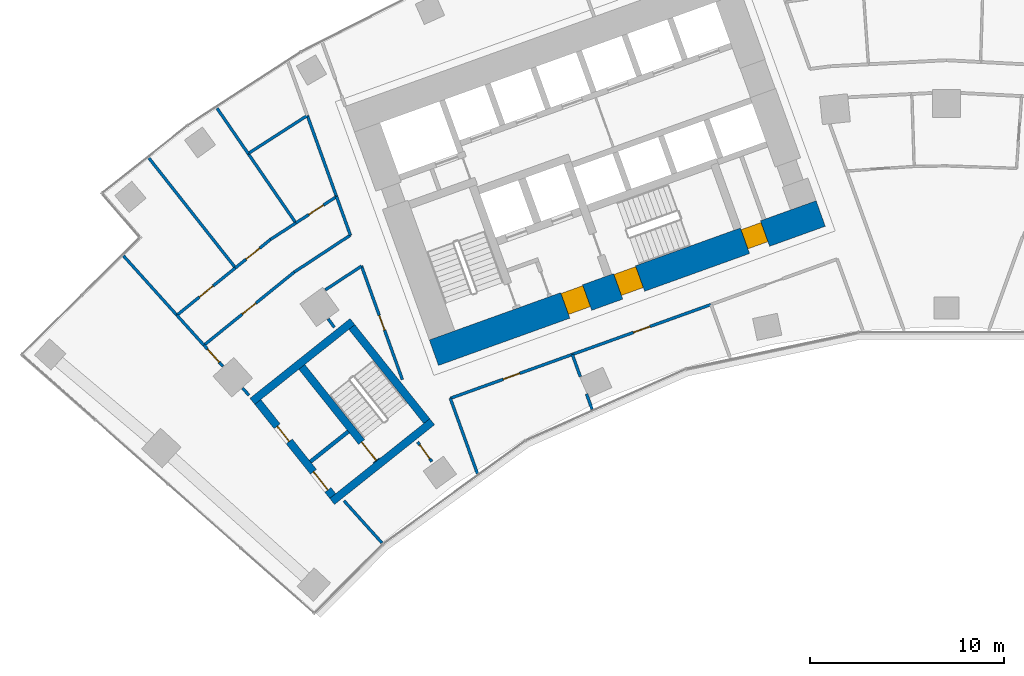
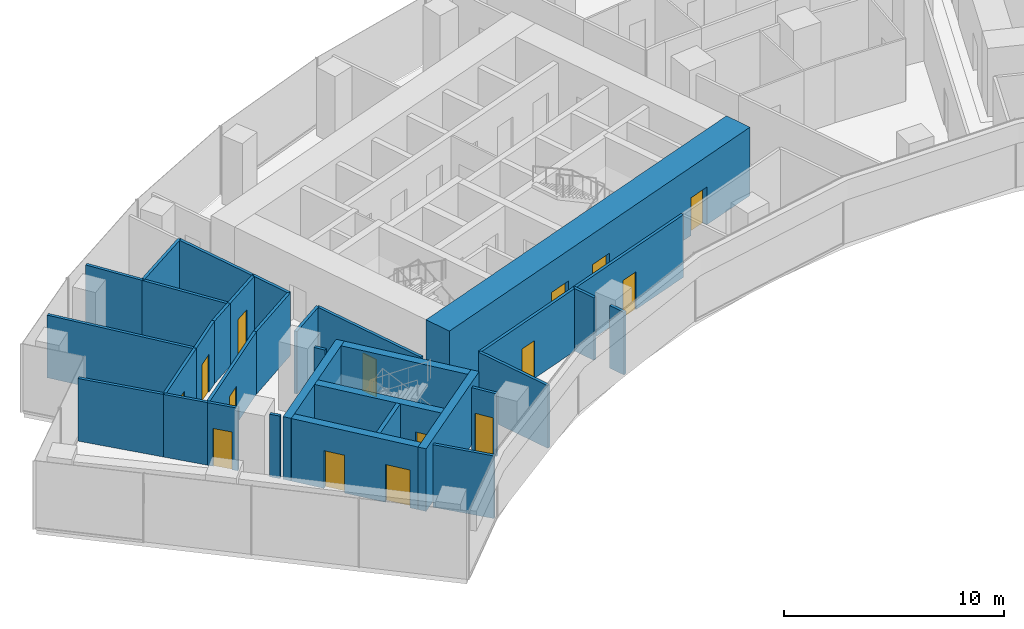
# One storey, part 13 of 21: 33 walls, 15 doors, 15 openings.
"""IFC4 building model written with IfcOpenShell, lengths in metres."""

from ifc_helpers import new_model, si_unit, direction, frame, frame_2d, origin, place, context, subcontext, project, spatial, rectangle, extrude, material, layer, layer_set, type_object, element, fill, save


model = new_model("IFC4")

# Units and contexts
model_context = context("Model", 3, precision=1e-05, world=origin(), true_north=direction((0.0, 1.0)))
body_context = subcontext(model_context, "Body", "Model", "MODEL_VIEW")
ifc_project = project(units=[si_unit("LENGTHUNIT", "METRE"), si_unit("AREAUNIT", "SQUARE_METRE"), si_unit("VOLUMEUNIT", "CUBIC_METRE"), si_unit("PLANEANGLEUNIT", "RADIAN"), si_unit("MASSUNIT", "GRAM", prefix="KILO")], contexts=[model_context])

# Site, building, storey
site_placement = place(None, origin())
site = spatial("IfcSite", under=ifc_project, at=site_placement, CompositionType="ELEMENT")
building_placement = place(site_placement, origin())
building = spatial("IfcBuilding", under=site, at=building_placement, Name="Stone Belt Terrace Tower", CompositionType="ELEMENT")
storey_placement = place(building_placement, frame((0.0, 0.0, 117.39990234375)))
storey = spatial("IfcBuildingStorey", under=building, at=storey_placement, Name="L28", CompositionType="ELEMENT", Elevation=117.39990234375)

# Wall, openings, doors
ifc_material_1 = material(Name="Concrete B80", Category="concrete")
ifc_layer_1 = layer(ifc_material_1, 1.39990234375)
ifc_layer_set_1 = layer_set([ifc_layer_1], Name="Core wall 1400 B80")
wall_type_1 = type_object("IfcWallType", Name="Core wall 1400 B80", PredefinedType="SHEAR", material=ifc_layer_set_1)
wall_1_placement = place(storey_placement, frame((-26.430908203125, 42.139404296875, 0.0), z_axis=(0.0, 0.0, 1.0), x_axis=(0.940923374003, 0.33861955681, 0.0)))
wall_1 = element("IfcWall", 1, at=wall_1_placement, inside=storey, type_object=wall_type_1, Name="Core A wall concave L28", PredefinedType="SHEAR", context=body_context, shape_type="SweptSolid", body=[
    extrude(rectangle(XDim=21.199951171875, YDim=1.39990234375, at=frame_2d((10.60009765625, 0.0))), origin(), (0.0, 0.0, 1.0), 3.800048828125),
])
opening_1_placement = place(wall_1_placement, frame((7.199951171875, 0.0, 0.0)))
opening_1 = element("IfcOpeningElement", 2, at=opening_1_placement, cuts=wall_1, Name="Opening L28-C07", PredefinedType="OPENING", context=body_context, shape_type="SweptSolid", body=[
    extrude(rectangle(XDim=1.199951171875, YDim=2.10009765625, at=frame_2d((0.60009765625, 1.050048828125))), frame((0.0, 0.7099609375, 0.0), z_axis=(0.0, -1.0, 0.0), x_axis=(1.0, 0.0, 0.0)), (0.0, 0.0, 1.0), 1.419921875),
])
opening_2_placement = place(wall_1_placement, frame((10.099853515625, 0.0, 0.0)))
opening_2 = element("IfcOpeningElement", 3, at=opening_2_placement, cuts=wall_1, Name="Opening L28-C09", PredefinedType="OPENING", context=body_context, shape_type="SweptSolid", body=[
    extrude(rectangle(XDim=1.199951171875, YDim=2.10009765625, at=frame_2d((0.60009765625, 1.050048828125))), frame((0.0, 0.7099609375, 0.0), z_axis=(0.0, -1.0, 0.0), x_axis=(1.0, 0.0, 0.0)), (0.0, 0.0, 1.0), 1.419921875),
])
opening_3_placement = place(wall_1_placement, frame((17.050048828125, 0.0, 0.0)))
opening_3 = element("IfcOpeningElement", 4, at=opening_3_placement, cuts=wall_1, Name="Opening L28-C11", PredefinedType="OPENING", context=body_context, shape_type="SweptSolid", body=[
    extrude(rectangle(XDim=1.10009765625, YDim=2.10009765625, at=frame_2d((0.550048828125, 1.050048828125))), frame((0.0, 0.7099609375, 0.0), z_axis=(0.0, -1.0, 0.0), x_axis=(1.0, 0.0, 0.0)), (0.0, 0.0, 1.0), 1.419921875),
])
ifc_material_2 = material(Name="Timber door leaf", Category="wood")
door_type_1 = type_object("IfcDoorType", Name="Core room door 1100", OperationType="SINGLE_SWING_LEFT", PredefinedType="DOOR", material=ifc_material_2)
door_1_placement = place(opening_3_placement, origin())
door_1 = element("IfcDoor", 5, at=door_1_placement, inside=storey, type_object=door_type_1, Name="Door to Communications riser room core A", OperationType="SINGLE_SWING_LEFT", OverallHeight=2.10009765625, OverallWidth=1.10009765625, PredefinedType="DOOR", context=body_context, shape_type="SweptSolid", body=[
    extrude(rectangle(XDim=1.10009765625, YDim=2.10009765625, at=frame_2d((0.550048828125, 1.050048828125))), frame((0.0, 0.60498046875, 0.0), z_axis=(0.0, -1.0, 0.0), x_axis=(1.0, 0.0, 0.0)), (0.0, 0.0, 1.0), 1.050048828125),
])
fill(opening_3, door_1)
ifc_material_3 = material(Name="Steel door leaf", Category="steel")
door_type_2 = type_object("IfcDoorType", Name="Fire-fighting lobby door 1200", OperationType="SINGLE_SWING_LEFT", PredefinedType="DOOR", material=ifc_material_3)
door_2_placement = place(opening_1_placement, origin())
door_2 = element("IfcDoor", 6, at=door_2_placement, inside=storey, type_object=door_type_2, Name="Fire-fighting lobby door core A", OperationType="SINGLE_SWING_LEFT", OverallHeight=2.10009765625, OverallWidth=1.199951171875, PredefinedType="DOOR", context=body_context, shape_type="SweptSolid", body=[
    extrude(rectangle(XDim=1.199951171875, YDim=2.10009765625, at=frame_2d((0.60009765625, 1.050048828125))), frame((0.0, 0.655029296875, 0.0), z_axis=(0.0, -1.0, 0.0), x_axis=(1.0, 0.0, 0.0)), (0.0, 0.0, 1.0), 1.14990234375),
])
fill(opening_1, door_2)
door_type_3 = type_object("IfcDoorType", Name="Stair door 1200", OperationType="SINGLE_SWING_LEFT", PredefinedType="DOOR", material=ifc_material_3)
door_3_placement = place(opening_2_placement, origin())
door_3 = element("IfcDoor", 7, at=door_3_placement, inside=storey, type_object=door_type_3, Name="Stair 2 exit door core A", OperationType="SINGLE_SWING_RIGHT", OverallHeight=2.10009765625, OverallWidth=1.199951171875, PredefinedType="DOOR", context=body_context, shape_type="SweptSolid", body=[
    extrude(rectangle(XDim=1.199951171875, YDim=2.10009765625, at=frame_2d((0.60009765625, 1.050048828125))), frame((0.0, 0.655029296875, 0.0), z_axis=(0.0, -1.0, 0.0), x_axis=(1.0, 0.0, 0.0)), (0.0, 0.0, 1.0), 1.14990234375),
])
fill(opening_2, door_3)

# Wall
ifc_material_4 = material(Name="Gypsum board partition")
ifc_layer_2 = layer(ifc_material_4, 0.14990234375)
ifc_layer_set_2 = layer_set([ifc_layer_2], Name="PARTITION 150 EI 60")
wall_type_2 = type_object("IfcWallType", Name="PARTITION 150 EI 60", PredefinedType="PARTITIONING", material=ifc_layer_set_2)
wall_2_placement = place(storey_placement, frame((-25.5859375, 39.79296875, 0.0), z_axis=(0.0, 0.0, 1.0), x_axis=(0.338545933013, -0.940949866486, 0.0)))
element("IfcWall", 8, at=wall_2_placement, inside=storey, type_object=wall_type_2, Name="L28/wall/i001", PredefinedType="PARTITIONING", context=body_context, shape_type="SweptSolid", body=[
    extrude(rectangle(XDim=4.135009765625, YDim=0.14990234375, at=frame_2d((2.0673828125, 0.0))), origin(), (0.0, 0.0, 1.0), 3.47998046875),
])

# Wall, opening, door
wall_3_placement = place(storey_placement, frame((-28.05810546875, 40.75390625, 0.0), z_axis=(0.0, 0.0, 1.0), x_axis=(-0.338523697563, 0.94095786632, 0.0)))
wall_3 = element("IfcWall", 9, at=wall_3_placement, inside=storey, type_object=wall_type_2, Name="L28/wall/i003", PredefinedType="PARTITIONING", context=body_context, shape_type="SweptSolid", body=[
    extrude(rectangle(XDim=6.226806640625, YDim=0.14990234375, at=frame_2d((3.11328125, 0.0))), origin(), (0.0, 0.0, 1.0), 3.47998046875),
])
opening_4_placement = place(wall_3_placement, frame((2.71337890625, 0.0, 0.0)))
opening_4 = element("IfcOpeningElement", 10, at=opening_4_placement, cuts=wall_3, Name="Opening D-B4-12", PredefinedType="OPENING", context=body_context, shape_type="SweptSolid", body=[
    extrude(rectangle(XDim=0.800048828125, YDim=2.10009765625, at=frame_2d((0.39990234375, 1.050048828125))), frame((0.0, 0.0849609375, 0.0), z_axis=(0.0, -1.0, 0.0), x_axis=(1.0, 0.0, 0.0)), (0.0, 0.0, 1.0), 0.169921875),
])
door_type_4 = type_object("IfcDoorType", Name="STORE DOOR 800 X 2100", OperationType="NOTDEFINED", PredefinedType="DOOR", material=ifc_material_2)
door_4_placement = place(opening_4_placement, origin())
door_4 = element("IfcDoor", 11, at=door_4_placement, inside=storey, type_object=door_type_4, Name="L28/door/i12", OperationType="SINGLE_SWING_RIGHT", OverallHeight=2.10009765625, OverallWidth=0.800048828125, PredefinedType="DOOR", context=body_context, shape_type="SweptSolid", body=[
    extrude(rectangle(XDim=0.800048828125, YDim=2.10009765625, at=frame_2d((0.39990234375, 1.050048828125))), frame((0.0, 0.02490234375, 0.0), z_axis=(0.0, -1.0, 0.0), x_axis=(1.0, 0.0, 0.0)), (0.0, 0.0, 1.0), 0.050048828125),
])
fill(opening_4, door_4)

wall_4_placement = place(storey_placement, frame((-26.534912109375, 36.52294921875, 0.0), z_axis=(0.0, 0.0, 1.0), x_axis=(-0.58822969918, 0.80869389821, 0.0)))
wall_4 = element("IfcWall", 12, at=wall_4_placement, inside=storey, type_object=wall_type_2, Name="L28/wall/i004", PredefinedType="PARTITIONING", context=body_context, shape_type="SweptSolid", body=[
    extrude(rectangle(XDim=1.25146484375, YDim=0.14990234375, at=frame_2d((0.625732421875, 0.0))), origin(), (0.0, 0.0, 1.0), 3.47998046875),
])
opening_5_placement = place(wall_4_placement, frame((0.17578125, 0.0, 0.0)))
opening_5 = element("IfcOpeningElement", 13, at=opening_5_placement, cuts=wall_4, Name="Opening D-B4-13", PredefinedType="OPENING", context=body_context, shape_type="SweptSolid", body=[
    extrude(rectangle(XDim=0.89990234375, YDim=2.10009765625, at=frame_2d((0.449951171875, 1.050048828125))), frame((0.0, 0.0849609375, 0.0), z_axis=(0.0, -1.0, 0.0), x_axis=(1.0, 0.0, 0.0)), (0.0, 0.0, 1.0), 0.169921875),
])
door_type_5 = type_object("IfcDoorType", Name="OFFICE DOOR 900 X 2100", OperationType="NOTDEFINED", PredefinedType="DOOR", material=ifc_material_2)
door_5_placement = place(opening_5_placement, origin())
door_5 = element("IfcDoor", 14, at=door_5_placement, inside=storey, type_object=door_type_5, Name="L28/door/i13", OperationType="SINGLE_SWING_RIGHT", OverallHeight=2.10009765625, OverallWidth=0.89990234375, PredefinedType="DOOR", context=body_context, shape_type="SweptSolid", body=[
    extrude(rectangle(XDim=0.89990234375, YDim=2.10009765625, at=frame_2d((0.449951171875, 1.050048828125))), frame((0.0, 0.02490234375, 0.0), z_axis=(0.0, -1.0, 0.0), x_axis=(1.0, 0.0, 0.0)), (0.0, 0.0, 1.0), 0.050048828125),
])
fill(opening_5, door_5)

# Walls
wall_5_placement = place(storey_placement, frame((-30.737060546875, 48.197021484375, 0.0), z_axis=(0.0, 0.0, 1.0), x_axis=(-0.338300458041, 0.941038150177, 0.0)))
element("IfcWall", 15, at=wall_5_placement, inside=storey, type_object=wall_type_2, Name="L28/wall/i005", PredefinedType="PARTITIONING", context=body_context, shape_type="SweptSolid", body=[
    extrude(rectangle(XDim=2.125244140625, YDim=0.14990234375, at=frame_2d((1.0625, 0.0))), origin(), (0.0, 0.0, 1.0), 3.47998046875),
])
wall_6_placement = place(storey_placement, frame((-31.451904296875, 50.18505859375, 0.0), z_axis=(0.0, 0.0, 1.0), x_axis=(-0.338639924683, 0.940916043763, 0.0)))
element("IfcWall", 16, at=wall_6_placement, inside=storey, type_object=wall_type_2, Name="L28/wall/i006", PredefinedType="PARTITIONING", context=body_context, shape_type="SweptSolid", body=[
    extrude(rectangle(XDim=4.4560546875, YDim=0.14990234375, at=frame_2d((2.22802734375, 0.0))), origin(), (0.0, 0.0, 1.0), 3.47998046875),
])

# Wall, opening, door
wall_7_placement = place(storey_placement, frame((-19.287109375, 42.052978515625, 0.0), z_axis=(0.0, 0.0, 1.0), x_axis=(-0.940935304033, -0.33858640496, 0.0)))
wall_7 = element("IfcWall", 17, at=wall_7_placement, inside=storey, type_object=wall_type_2, Name="L28/wall/i014", PredefinedType="PARTITIONING", context=body_context, shape_type="SweptSolid", body=[
    extrude(rectangle(XDim=6.692138671875, YDim=0.14990234375, at=frame_2d((3.34619140625, 0.0))), origin(), (0.0, 0.0, 1.0), 3.47998046875),
])
opening_6_placement = place(wall_7_placement, frame((2.896240234375, 0.0, 0.0)))
opening_6 = element("IfcOpeningElement", 18, at=opening_6_placement, cuts=wall_7, Name="Opening D-B4-01", PredefinedType="OPENING", context=body_context, shape_type="SweptSolid", body=[
    extrude(rectangle(XDim=0.89990234375, YDim=2.10009765625, at=frame_2d((0.449951171875, 1.050048828125))), frame((0.0, 0.0849609375, 0.0), z_axis=(0.0, -1.0, 0.0), x_axis=(1.0, 0.0, 0.0)), (0.0, 0.0, 1.0), 0.169921875),
])
door_6_placement = place(opening_6_placement, origin())
door_6 = element("IfcDoor", 19, at=door_6_placement, inside=storey, type_object=door_type_5, Name="L28/door/i01", OperationType="SINGLE_SWING_RIGHT", OverallHeight=2.10009765625, OverallWidth=0.89990234375, PredefinedType="DOOR", context=body_context, shape_type="SweptSolid", body=[
    extrude(rectangle(XDim=0.89990234375, YDim=2.10009765625, at=frame_2d((0.449951171875, 1.050048828125))), frame((0.0, 0.02490234375, 0.0), z_axis=(0.0, -1.0, 0.0), x_axis=(1.0, 0.0, 0.0)), (0.0, 0.0, 1.0), 0.050048828125),
])
fill(opening_6, door_6)

wall_8_placement = place(storey_placement, frame((-12.135009765625, 44.626953125, 0.0), z_axis=(0.0, 0.0, 1.0), x_axis=(-0.940936863003, -0.338582072534, 0.0)))
wall_8 = element("IfcWall", 20, at=wall_8_placement, inside=storey, type_object=wall_type_2, Name="L28/wall/i015", PredefinedType="PARTITIONING", context=body_context, shape_type="SweptSolid", body=[
    extrude(rectangle(XDim=7.61376953125, YDim=0.14990234375, at=frame_2d((3.806884765625, 0.0))), origin(), (0.0, 0.0, 1.0), 3.47998046875),
])
opening_7_placement = place(wall_8_placement, frame((3.35693359375, 0.0, 0.0)))
opening_7 = element("IfcOpeningElement", 21, at=opening_7_placement, cuts=wall_8, Name="Opening D-B4-02", PredefinedType="OPENING", context=body_context, shape_type="SweptSolid", body=[
    extrude(rectangle(XDim=0.89990234375, YDim=2.10009765625, at=frame_2d((0.449951171875, 1.050048828125))), frame((0.0, 0.0849609375, 0.0), z_axis=(0.0, -1.0, 0.0), x_axis=(1.0, 0.0, 0.0)), (0.0, 0.0, 1.0), 0.169921875),
])
door_7_placement = place(opening_7_placement, origin())
door_7 = element("IfcDoor", 22, at=door_7_placement, inside=storey, type_object=door_type_5, Name="L28/door/i02", OperationType="SINGLE_SWING_RIGHT", OverallHeight=2.10009765625, OverallWidth=0.89990234375, PredefinedType="DOOR", context=body_context, shape_type="SweptSolid", body=[
    extrude(rectangle(XDim=0.89990234375, YDim=2.10009765625, at=frame_2d((0.449951171875, 1.050048828125))), frame((0.0, 0.02490234375, 0.0), z_axis=(0.0, -1.0, 0.0), x_axis=(1.0, 0.0, 0.0)), (0.0, 0.0, 1.0), 0.050048828125),
])
fill(opening_7, door_7)

# Walls
wall_9_placement = place(storey_placement, frame((-19.29296875, 42.051025390625, 0.0), z_axis=(0.0, 0.0, 1.0), x_axis=(0.338726578261, -0.940884852242, 0.0)))
element("IfcWall", 23, at=wall_9_placement, inside=storey, type_object=wall_type_2, Name="L28/wall/i017", PredefinedType="PARTITIONING", context=body_context, shape_type="SweptSolid", body=[
    extrude(rectangle(XDim=1.2158203125, YDim=0.14990234375, at=frame_2d((0.60791015625, 0.0))), origin(), (0.0, 0.0, 1.0), 3.47998046875),
])
wall_10_placement = place(storey_placement, frame((-18.55908203125, 40.0126953125, 0.0), z_axis=(0.0, 0.0, 1.0), x_axis=(0.338739990078, -0.940880023766, 0.0)))
element("IfcWall", 24, at=wall_10_placement, inside=storey, type_object=wall_type_2, Name="L28/wall/i018", PredefinedType="PARTITIONING", context=body_context, shape_type="SweptSolid", body=[
    extrude(rectangle(XDim=0.842529296875, YDim=0.14990234375, at=frame_2d((0.42138671875, 0.0))), origin(), (0.0, 0.0, 1.0), 3.47998046875),
])

# Wall, opening, door
wall_11_placement = place(storey_placement, frame((-37.3076171875, 41.433837890625, 0.0), z_axis=(0.0, 0.0, 1.0), x_axis=(-0.669238977833, 0.743047233054, 0.0)))
wall_11 = element("IfcWall", 25, at=wall_11_placement, inside=storey, type_object=wall_type_2, Name="L28/wall/i037", PredefinedType="PARTITIONING", context=body_context, shape_type="SweptSolid", body=[
    extrude(rectangle(XDim=1.475341796875, YDim=0.14990234375, at=frame_2d((0.73779296875, 0.0))), origin(), (0.0, 0.0, 1.0), 3.47998046875),
])
opening_8_placement = place(wall_11_placement, frame((0.28759765625, 0.0, 0.0)))
opening_8 = element("IfcOpeningElement", 26, at=opening_8_placement, cuts=wall_11, Name="Opening D-B4-11", PredefinedType="OPENING", context=body_context, shape_type="SweptSolid", body=[
    extrude(rectangle(XDim=0.89990234375, YDim=2.10009765625, at=frame_2d((0.449951171875, 1.050048828125))), frame((0.0, 0.0849609375, 0.0), z_axis=(0.0, -1.0, 0.0), x_axis=(1.0, 0.0, 0.0)), (0.0, 0.0, 1.0), 0.169921875),
])
ifc_material_5 = material(Name="Timber fire door leaf", Category="wood")
door_type_6 = type_object("IfcDoorType", Name="TENANCY ENTRANCE DOOR 900 X 2100", OperationType="NOTDEFINED", PredefinedType="DOOR", material=ifc_material_5)
door_8_placement = place(opening_8_placement, origin())
door_8 = element("IfcDoor", 27, at=door_8_placement, inside=storey, type_object=door_type_6, Name="L28/door/i11", OperationType="SINGLE_SWING_RIGHT", OverallHeight=2.10009765625, OverallWidth=0.89990234375, PredefinedType="DOOR", context=body_context, shape_type="SweptSolid", body=[
    extrude(rectangle(XDim=0.89990234375, YDim=2.10009765625, at=frame_2d((0.449951171875, 1.050048828125))), frame((0.0, 0.02490234375, 0.0), z_axis=(0.0, -1.0, 0.0), x_axis=(1.0, 0.0, 0.0)), (0.0, 0.0, 1.0), 0.050048828125),
])
fill(opening_8, door_8)

# Walls
wall_12_placement = place(storey_placement, frame((-36.297119140625, 40.311767578125, 0.0), z_axis=(0.0, 0.0, 1.0), x_axis=(0.669100229536, -0.743172175768, 0.0)))
element("IfcWall", 28, at=wall_12_placement, inside=storey, type_object=wall_type_2, Name="L28/wall/i038", PredefinedType="PARTITIONING", context=body_context, shape_type="SweptSolid", body=[
    extrude(rectangle(XDim=0.497802734375, YDim=0.14990234375, at=frame_2d((0.2490234375, 0.0))), origin(), (0.0, 0.0, 1.0), 3.47998046875),
])
wall_13_placement = place(storey_placement, frame((-31.071044921875, 34.507080078125, 0.0), z_axis=(0.0, 0.0, 1.0), x_axis=(0.669245075227, -0.74304174128, 0.0)))
element("IfcWall", 29, at=wall_13_placement, inside=storey, type_object=wall_type_2, Name="L28/wall/i039", PredefinedType="PARTITIONING", context=body_context, shape_type="SweptSolid", body=[
    extrude(rectangle(XDim=2.9345703125, YDim=0.14990234375, at=frame_2d((1.46728515625, 0.0))), origin(), (0.0, 0.0, 1.0), 3.47998046875),
])
wall_14_placement = place(storey_placement, frame((-39.68896484375, 44.077880859375, 0.0), z_axis=(0.0, 0.0, 1.0), x_axis=(0.66913854866, -0.743137674121, 0.0)))
element("IfcWall", 30, at=wall_14_placement, inside=storey, type_object=wall_type_2, Name="L28/wall/i040", PredefinedType="PARTITIONING", context=body_context, shape_type="SweptSolid", body=[
    extrude(rectangle(XDim=2.094970703125, YDim=0.14990234375, at=frame_2d((1.04736328125, 0.0))), origin(), (0.0, 0.0, 1.0), 3.47998046875),
])
wall_15_placement = place(storey_placement, frame((-42.43896484375, 47.13232421875, 0.0), z_axis=(0.0, 0.0, 1.0), x_axis=(0.669118518317, -0.743155709421, 0.0)))
element("IfcWall", 31, at=wall_15_placement, inside=storey, type_object=wall_type_2, Name="L28/wall/i041", PredefinedType="PARTITIONING", context=body_context, shape_type="SweptSolid", body=[
    extrude(rectangle(XDim=4.121826171875, YDim=0.14990234375, at=frame_2d((2.06103515625, 0.0))), origin(), (0.0, 0.0, 1.0), 3.47998046875),
])
wall_16_placement = place(storey_placement, frame((-30.1650390625, 46.60595703125, 0.0), z_axis=(0.0, 0.0, 1.0), x_axis=(-0.835442130402, -0.549578426386, 0.0)))
element("IfcWall", 32, at=wall_16_placement, inside=storey, type_object=wall_type_2, Name="L28/wall/i042", PredefinedType="PARTITIONING", context=body_context, shape_type="SweptSolid", body=[
    extrude(rectangle(XDim=2.237548828125, YDim=0.14990234375, at=frame_2d((1.11865234375, 0.0))), origin(), (0.0, 0.0, 1.0), 3.47998046875),
])
wall_17_placement = place(storey_placement, frame((-31.88427734375, 43.88525390625, 0.0), z_axis=(0.0, 0.0, 1.0), x_axis=(0.588064762831, -0.808813844291, 0.0)))
element("IfcWall", 33, at=wall_17_placement, inside=storey, type_object=wall_type_2, Name="L28/wall/i043", PredefinedType="PARTITIONING", context=body_context, shape_type="SweptSolid", body=[
    extrude(rectangle(XDim=0.54296875, YDim=0.14990234375, at=frame_2d((0.271484375, 0.0))), origin(), (0.0, 0.0, 1.0), 3.47998046875),
])

# Wall, opening, door
wall_18_placement = place(storey_placement, frame((-38.2900390625, 42.527099609375, 0.0), z_axis=(0.0, 0.0, 1.0), x_axis=(0.77714422733, 0.629322532513, 0.0)))
wall_18 = element("IfcWall", 34, at=wall_18_placement, inside=storey, type_object=wall_type_2, Name="L28/wall/i044", PredefinedType="PARTITIONING", context=body_context, shape_type="SweptSolid", body=[
    extrude(rectangle(XDim=5.98876953125, YDim=0.14990234375, at=frame_2d((2.994384765625, 0.0))), origin(), (0.0, 0.0, 1.0), 3.47998046875),
])
opening_9_placement = place(wall_18_placement, frame((2.54443359375, 0.0, 0.0)))
opening_9 = element("IfcOpeningElement", 35, at=opening_9_placement, cuts=wall_18, Name="Opening D-B4-14", PredefinedType="OPENING", context=body_context, shape_type="SweptSolid", body=[
    extrude(rectangle(XDim=0.89990234375, YDim=2.10009765625, at=frame_2d((0.449951171875, 1.050048828125))), frame((0.0, 0.0849609375, 0.0), z_axis=(0.0, -1.0, 0.0), x_axis=(1.0, 0.0, 0.0)), (0.0, 0.0, 1.0), 0.169921875),
])
door_9_placement = place(opening_9_placement, origin())
door_9 = element("IfcDoor", 36, at=door_9_placement, inside=storey, type_object=door_type_5, Name="L28/door/i14", OperationType="SINGLE_SWING_RIGHT", OverallHeight=2.10009765625, OverallWidth=0.89990234375, PredefinedType="DOOR", context=body_context, shape_type="SweptSolid", body=[
    extrude(rectangle(XDim=0.89990234375, YDim=2.10009765625, at=frame_2d((0.449951171875, 1.050048828125))), frame((0.0, 0.02490234375, 0.0), z_axis=(0.0, -1.0, 0.0), x_axis=(1.0, 0.0, 0.0)), (0.0, 0.0, 1.0), 0.050048828125),
])
fill(opening_9, door_9)

# Wall
wall_19_placement = place(storey_placement, frame((-33.635986328125, 46.2958984375, 0.0), z_axis=(0.0, 0.0, 1.0), x_axis=(0.835274160171, 0.549833681535, 0.0)))
element("IfcWall", 37, at=wall_19_placement, inside=storey, type_object=wall_type_2, Name="L28/wall/i045", PredefinedType="PARTITIONING", context=body_context, shape_type="SweptSolid", body=[
    extrude(rectangle(XDim=3.46826171875, YDim=0.14990234375, at=frame_2d((1.734130859375, 0.0))), origin(), (0.0, 0.0, 1.0), 3.47998046875),
])

# Wall, opening, door
wall_20_placement = place(storey_placement, frame((-39.68408203125, 44.073974609375, 0.0), z_axis=(0.0, 0.0, 1.0), x_axis=(0.777161522309, 0.629301174512, 0.0)))
wall_20 = element("IfcWall", 38, at=wall_20_placement, inside=storey, type_object=wall_type_2, Name="L28/wall/i046", PredefinedType="PARTITIONING", context=body_context, shape_type="SweptSolid", body=[
    extrude(rectangle(XDim=3.888427734375, YDim=0.14990234375, at=frame_2d((1.9443359375, 0.0))), origin(), (0.0, 0.0, 1.0), 3.47998046875),
])
opening_10_placement = place(wall_20_placement, frame((1.494140625, 0.0, 0.0)))
opening_10 = element("IfcOpeningElement", 39, at=opening_10_placement, cuts=wall_20, Name="Opening D-B4-15", PredefinedType="OPENING", context=body_context, shape_type="SweptSolid", body=[
    extrude(rectangle(XDim=0.89990234375, YDim=2.10009765625, at=frame_2d((0.449951171875, 1.050048828125))), frame((0.0, 0.0849609375, 0.0), z_axis=(0.0, -1.0, 0.0), x_axis=(1.0, 0.0, 0.0)), (0.0, 0.0, 1.0), 0.169921875),
])
door_10_placement = place(opening_10_placement, origin())
door_10 = element("IfcDoor", 40, at=door_10_placement, inside=storey, type_object=door_type_5, Name="L28/door/i15", OperationType="SINGLE_SWING_RIGHT", OverallHeight=2.10009765625, OverallWidth=0.89990234375, PredefinedType="DOOR", context=body_context, shape_type="SweptSolid", body=[
    extrude(rectangle(XDim=0.89990234375, YDim=2.10009765625, at=frame_2d((0.449951171875, 1.050048828125))), frame((0.0, 0.02490234375, 0.0), z_axis=(0.0, -1.0, 0.0), x_axis=(1.0, 0.0, 0.0)), (0.0, 0.0, 1.0), 0.050048828125),
])
fill(opening_10, door_10)

wall_21_placement = place(storey_placement, frame((-36.6708984375, 46.512939453125, 0.0), z_axis=(0.0, 0.0, 1.0), x_axis=(0.777000851917, 0.629499544178, 0.0)))
wall_21 = element("IfcWall", 41, at=wall_21_placement, inside=storey, type_object=wall_type_2, Name="L28/wall/i047", PredefinedType="PARTITIONING", context=body_context, shape_type="SweptSolid", body=[
    extrude(rectangle(XDim=2.33056640625, YDim=0.14990234375, at=frame_2d((1.165283203125, 0.0))), origin(), (0.0, 0.0, 1.0), 3.47998046875),
])
opening_11_placement = place(wall_21_placement, frame((0.71533203125, 0.0, 0.0)))
opening_11 = element("IfcOpeningElement", 42, at=opening_11_placement, cuts=wall_21, Name="Opening D-B4-16", PredefinedType="OPENING", context=body_context, shape_type="SweptSolid", body=[
    extrude(rectangle(XDim=0.89990234375, YDim=2.10009765625, at=frame_2d((0.449951171875, 1.050048828125))), frame((0.0, 0.0849609375, 0.0), z_axis=(0.0, -1.0, 0.0), x_axis=(1.0, 0.0, 0.0)), (0.0, 0.0, 1.0), 0.169921875),
])
door_11_placement = place(opening_11_placement, origin())
door_11 = element("IfcDoor", 43, at=door_11_placement, inside=storey, type_object=door_type_5, Name="L28/door/i16", OperationType="SINGLE_SWING_RIGHT", OverallHeight=2.10009765625, OverallWidth=0.89990234375, PredefinedType="DOOR", context=body_context, shape_type="SweptSolid", body=[
    extrude(rectangle(XDim=0.89990234375, YDim=2.10009765625, at=frame_2d((0.449951171875, 1.050048828125))), frame((0.0, 0.02490234375, 0.0), z_axis=(0.0, -1.0, 0.0), x_axis=(1.0, 0.0, 0.0)), (0.0, 0.0, 1.0), 0.050048828125),
])
fill(opening_11, door_11)

# Wall
wall_22_placement = place(storey_placement, frame((-34.860107421875, 47.97998046875, 0.0), z_axis=(0.0, 0.0, 1.0), x_axis=(0.838795891519, 0.54444600501, 0.0)))
element("IfcWall", 44, at=wall_22_placement, inside=storey, type_object=wall_type_2, Name="L28/wall/i048", PredefinedType="PARTITIONING", context=body_context, shape_type="SweptSolid", body=[
    extrude(rectangle(XDim=1.56689453125, YDim=0.14990234375, at=frame_2d((0.783447265625, 0.0))), origin(), (0.0, 0.0, 1.0), 3.47998046875),
])

# Wall, opening, door
wall_23_placement = place(storey_placement, frame((-33.555908203125, 48.826904296875, 0.0), z_axis=(0.0, 0.0, 1.0), x_axis=(0.838837427298, 0.544382007935, 0.0)))
wall_23 = element("IfcWall", 45, at=wall_23_placement, inside=storey, type_object=wall_type_2, Name="L28/wall/i049", PredefinedType="PARTITIONING", context=body_context, shape_type="SweptSolid", body=[
    extrude(rectangle(XDim=2.505615234375, YDim=0.14990234375, at=frame_2d((1.2529296875, 0.0))), origin(), (0.0, 0.0, 1.0), 3.47998046875),
])
opening_12_placement = place(wall_23_placement, frame((0.802978515625, 0.0, 0.0)))
opening_12 = element("IfcOpeningElement", 46, at=opening_12_placement, cuts=wall_23, Name="Opening D-B4-17", PredefinedType="OPENING", context=body_context, shape_type="SweptSolid", body=[
    extrude(rectangle(XDim=0.89990234375, YDim=2.10009765625, at=frame_2d((0.449951171875, 1.050048828125))), frame((0.0, 0.0849609375, 0.0), z_axis=(0.0, -1.0, 0.0), x_axis=(1.0, 0.0, 0.0)), (0.0, 0.0, 1.0), 0.169921875),
])
door_12_placement = place(opening_12_placement, origin())
door_12 = element("IfcDoor", 47, at=door_12_placement, inside=storey, type_object=door_type_5, Name="L28/door/i17", OperationType="SINGLE_SWING_RIGHT", OverallHeight=2.10009765625, OverallWidth=0.89990234375, PredefinedType="DOOR", context=body_context, shape_type="SweptSolid", body=[
    extrude(rectangle(XDim=0.89990234375, YDim=2.10009765625, at=frame_2d((0.449951171875, 1.050048828125))), frame((0.0, 0.02490234375, 0.0), z_axis=(0.0, -1.0, 0.0), x_axis=(1.0, 0.0, 0.0)), (0.0, 0.0, 1.0), 0.050048828125),
])
fill(opening_12, door_12)

# Walls
wall_24_placement = place(storey_placement, frame((-41.130859375, 52.180419921875, 0.0), z_axis=(0.0, 0.0, 1.0), x_axis=(0.619030466351, -0.78536697265, 0.0)))
element("IfcWall", 48, at=wall_24_placement, inside=storey, type_object=wall_type_2, Name="L28/wall/i050", PredefinedType="PARTITIONING", context=body_context, shape_type="SweptSolid", body=[
    extrude(rectangle(XDim=7.211181640625, YDim=0.14990234375, at=frame_2d((3.60546875, 0.0))), origin(), (0.0, 0.0, 1.0), 3.47998046875),
])
wall_25_placement = place(storey_placement, frame((-36.013916015625, 52.4140625, 0.0), z_axis=(0.0, 0.0, 1.0), x_axis=(0.566357258318, -0.824159848543, 0.0)))
element("IfcWall", 49, at=wall_25_placement, inside=storey, type_object=wall_type_2, Name="L28/wall/i051", PredefinedType="PARTITIONING", context=body_context, shape_type="SweptSolid", body=[
    extrude(rectangle(XDim=4.3486328125, YDim=0.14990234375, at=frame_2d((2.17431640625, 0.0))), origin(), (0.0, 0.0, 1.0), 3.47998046875),
])
wall_26_placement = place(storey_placement, frame((-37.61962890625, 54.75244140625, 0.0), z_axis=(0.0, 0.0, 1.0), x_axis=(0.566219533081, -0.824254475485, 0.0)))
element("IfcWall", 50, at=wall_26_placement, inside=storey, type_object=wall_type_2, Name="L28/wall/i052", PredefinedType="PARTITIONING", context=body_context, shape_type="SweptSolid", body=[
    extrude(rectangle(XDim=2.847900390625, YDim=0.14990234375, at=frame_2d((1.423828125, 0.0))), origin(), (0.0, 0.0, 1.0), 3.47998046875),
])
wall_27_placement = place(storey_placement, frame((-36.010009765625, 52.409912109375, 0.0), z_axis=(0.0, 0.0, 1.0), x_axis=(0.841080058793, 0.540910653158, 0.0)))
element("IfcWall", 51, at=wall_27_placement, inside=storey, type_object=wall_type_2, Name="L28/wall/i053", PredefinedType="PARTITIONING", context=body_context, shape_type="SweptSolid", body=[
    extrude(rectangle(XDim=3.62744140625, YDim=0.14990234375, at=frame_2d((1.813720703125, 0.0))), origin(), (0.0, 0.0, 1.0), 3.47998046875),
])
ifc_material_6 = material(Name="Concrete masonry block", Category="masonry")
ifc_layer_3 = layer(ifc_material_6, 0.199951171875)
ifc_layer_set_3 = layer_set([ifc_layer_3], Name="Rated lobby wall 200")
wall_type_3 = type_object("IfcWallType", Name="Rated lobby wall 200", PredefinedType="PARTITIONING", material=ifc_layer_set_3)
wall_28_placement = place(storey_placement, frame((-30.845703125, 38.074951171875, 0.0), z_axis=(0.0, 0.0, 1.0), x_axis=(-0.782115323833, -0.623133709749, 0.0)))
element("IfcWall", 52, at=wall_28_placement, inside=storey, type_object=wall_type_3, Name="Exit stair ST3A wall", PredefinedType="PARTITIONING", context=body_context, shape_type="SweptSolid", body=[
    extrude(rectangle(XDim=2.5, YDim=0.199951171875, at=frame_2d((1.25, 0.0))), origin(), (0.0, 0.0, 1.0), 3.47998046875),
])
ifc_layer_4 = layer(ifc_material_1, 0.39990234375)
ifc_layer_set_4 = layer_set([ifc_layer_4], Name="Stair enclosure wall 400")
wall_type_4 = type_object("IfcWallType", Name="Stair enclosure wall 400", PredefinedType="SHEAR", material=ifc_layer_set_4)
for number, where, z_axis, x_axis, name in (
    (53, (-26.518798828125, 38.58154296875, 0.0), (0.0, 0.0, 1.0), (-0.782133914161, -0.623110375711, 0.0), "Exit stair ST3A wall"),
    (54, (-30.63134765625, 43.74365234375, 0.0), (0.0, 0.0, 1.0), (-0.782133914161, -0.623110375711, 0.0), "Exit stair ST3A wall"),
):
    element("IfcWall", number, at=place(storey_placement, frame(where, z_axis=z_axis, x_axis=x_axis)), inside=storey, type_object=wall_type_4, Name=name, PredefinedType="SHEAR", context=body_context, shape_type="SweptSolid", body=[
        extrude(rectangle(XDim=6.60009765625, YDim=0.39990234375, at=frame_2d((3.300048828125, 0.0))), origin(), (0.0, 0.0, 1.0), 3.47998046875),
    ])
wall_29_placement = place(storey_placement, frame((-26.7998046875, 38.61328125, 0.0), z_axis=(0.0, 0.0, 1.0), x_axis=(-0.623118653668, 0.782127319208, 0.0)))
element("IfcWall", 55, at=wall_29_placement, inside=storey, type_object=wall_type_4, Name="Exit stair ST3A wall", PredefinedType="SHEAR", context=body_context, shape_type="SweptSolid", body=[
    extrude(rectangle(XDim=6.199951171875, YDim=0.39990234375, at=frame_2d((3.10009765625, 0.0))), origin(), (0.0, 0.0, 1.0), 3.47998046875),
])

# Wall, openings, doors
wall_30_placement = place(storey_placement, frame((-31.64892578125, 34.75, 0.0), z_axis=(0.0, 0.0, 1.0), x_axis=(-0.623118653668, 0.782127319208, 0.0)))
wall_30 = element("IfcWall", 56, at=wall_30_placement, inside=storey, type_object=wall_type_4, Name="Exit stair ST3A wall", PredefinedType="SHEAR", context=body_context, shape_type="SweptSolid", body=[
    extrude(rectangle(XDim=6.199951171875, YDim=0.39990234375, at=frame_2d((3.10009765625, 0.0))), origin(), (0.0, 0.0, 1.0), 3.47998046875),
])
opening_13_placement = place(wall_30_placement, frame((0.39990234375, 0.0, 0.0)))
opening_13 = element("IfcOpeningElement", 57, at=opening_13_placement, cuts=wall_30, Name="Opening L28-C24", PredefinedType="OPENING", context=body_context, shape_type="SweptSolid", body=[
    extrude(rectangle(XDim=1.199951171875, YDim=2.10009765625, at=frame_2d((0.60009765625, 1.050048828125))), frame((0.0, 0.2099609375, 0.0), z_axis=(0.0, -1.0, 0.0), x_axis=(1.0, 0.0, 0.0)), (0.0, 0.0, 1.0), 0.419921875),
])
opening_14_placement = place(wall_30_placement, frame((3.60009765625, 0.0, 0.0)))
opening_14 = element("IfcOpeningElement", 58, at=opening_14_placement, cuts=wall_30, Name="Opening L28-C25", PredefinedType="OPENING", context=body_context, shape_type="SweptSolid", body=[
    extrude(rectangle(XDim=1.0, YDim=2.10009765625, at=frame_2d((0.5, 1.050048828125))), frame((0.0, 0.2099609375, 0.0), z_axis=(0.0, -1.0, 0.0), x_axis=(1.0, 0.0, 0.0)), (0.0, 0.0, 1.0), 0.419921875),
])
door_type_7 = type_object("IfcDoorType", Name="Core room door 1000", OperationType="SINGLE_SWING_LEFT", PredefinedType="DOOR", material=ifc_material_2)
door_13_placement = place(opening_14_placement, origin())
door_13 = element("IfcDoor", 59, at=door_13_placement, inside=storey, type_object=door_type_7, Name="Door to stair pressurisation plant room ST3A", OperationType="SINGLE_SWING_RIGHT", OverallHeight=2.10009765625, OverallWidth=1.0, PredefinedType="DOOR", context=body_context, shape_type="SweptSolid", body=[
    extrude(rectangle(XDim=1.0, YDim=2.10009765625, at=frame_2d((0.5, 1.050048828125))), frame((0.0, 0.02490234375, 0.0), z_axis=(0.0, -1.0, 0.0), x_axis=(1.0, 0.0, 0.0)), (0.0, 0.0, 1.0), 0.050048828125),
])
fill(opening_14, door_13)
door_type_8 = type_object("IfcDoorType", Name="Stair airlock door 1200", OperationType="SINGLE_SWING_LEFT", PredefinedType="DOOR", material=ifc_material_3)
door_14_placement = place(opening_13_placement, origin())
door_14 = element("IfcDoor", 60, at=door_14_placement, inside=storey, type_object=door_type_8, Name="Stair airlock door ST3A", OperationType="SINGLE_SWING_RIGHT", OverallHeight=2.10009765625, OverallWidth=1.199951171875, PredefinedType="DOOR", context=body_context, shape_type="SweptSolid", body=[
    extrude(rectangle(XDim=1.199951171875, YDim=2.10009765625, at=frame_2d((0.60009765625, 1.050048828125))), frame((0.0, 0.02490234375, 0.0), z_axis=(0.0, -1.0, 0.0), x_axis=(1.0, 0.0, 0.0)), (0.0, 0.0, 1.0), 0.050048828125),
])
fill(opening_13, door_14)

# Wall, opening, door
wall_31_placement = place(storey_placement, frame((-29.380859375, 36.556884765625, 0.0), z_axis=(0.0, 0.0, 1.0), x_axis=(-0.623099462847, 0.782142608097, 0.0)))
wall_31 = element("IfcWall", 61, at=wall_31_placement, inside=storey, type_object=wall_type_4, Name="Exit stair ST3A wall", PredefinedType="SHEAR", context=body_context, shape_type="SweptSolid", body=[
    extrude(rectangle(XDim=6.2001953125, YDim=0.39990234375, at=frame_2d((3.10009765625, 0.0))), origin(), (0.0, 0.0, 1.0), 3.47998046875),
])
opening_15_placement = place(wall_31_placement, frame((0.050048828125, 0.0, 0.0)))
opening_15 = element("IfcOpeningElement", 62, at=opening_15_placement, cuts=wall_31, Name="Opening L28-C23", PredefinedType="OPENING", context=body_context, shape_type="SweptSolid", body=[
    extrude(rectangle(XDim=1.199951171875, YDim=2.10009765625, at=frame_2d((0.60009765625, 1.050048828125))), frame((0.0, 0.2099609375, 0.0), z_axis=(0.0, -1.0, 0.0), x_axis=(1.0, 0.0, 0.0)), (0.0, 0.0, 1.0), 0.419921875),
])
door_15_placement = place(opening_15_placement, origin())
door_15 = element("IfcDoor", 63, at=door_15_placement, inside=storey, type_object=door_type_3, Name="Stair door ST3A", OperationType="SINGLE_SWING_LEFT", OverallHeight=2.10009765625, OverallWidth=1.199951171875, PredefinedType="DOOR", context=body_context, shape_type="SweptSolid", body=[
    extrude(rectangle(XDim=1.199951171875, YDim=2.10009765625, at=frame_2d((0.60009765625, 1.050048828125))), frame((0.0, 0.02490234375, 0.0), z_axis=(0.0, -1.0, 0.0), x_axis=(1.0, 0.0, 0.0)), (0.0, 0.0, 1.0), 0.050048828125),
])
fill(opening_15, door_15)

save(model, "model.ifc")
